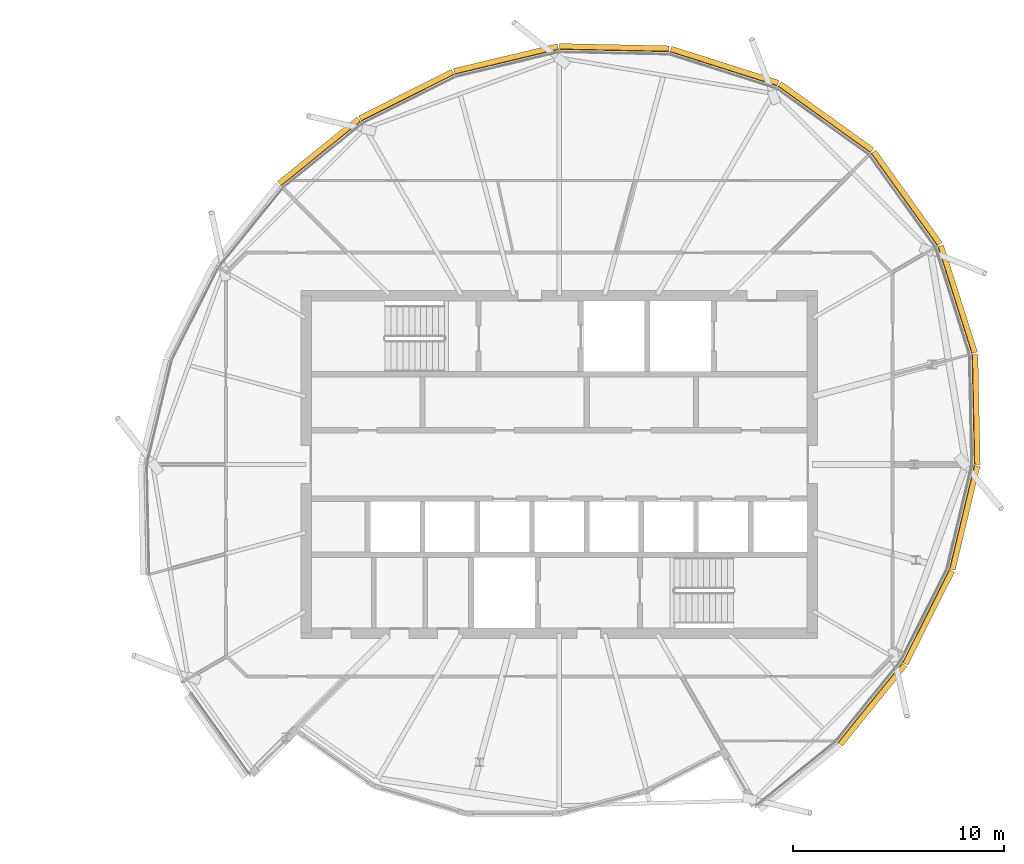
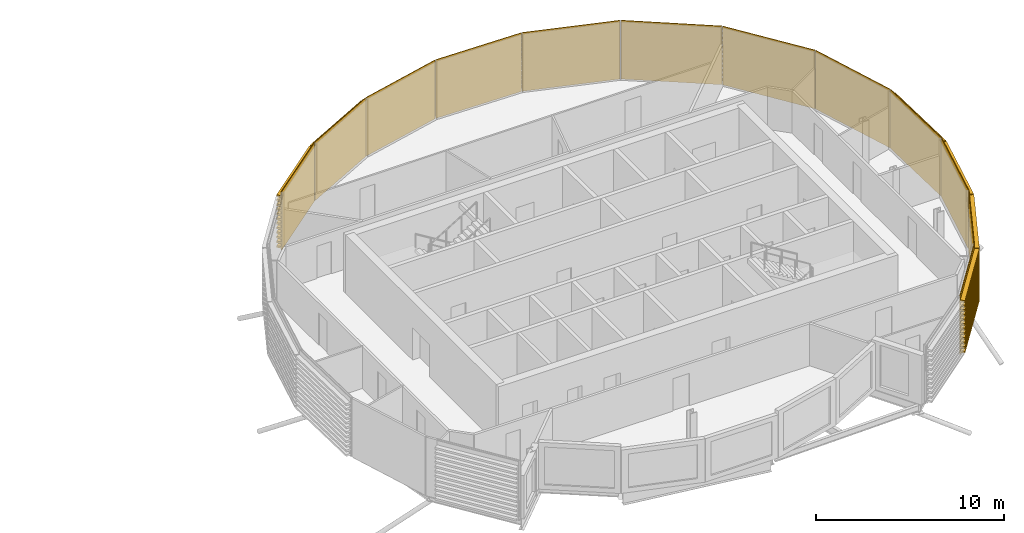
# One storey, part 35 of 35: 12 coverings.
"""IFC4 building model written with IfcOpenShell, lengths in metres."""

from ifc_helpers import new_model, si_unit, direction, frame, origin, place, context, subcontext, project, spatial, polyline, outline, extrude, material, material_profile, profile_set, type_object, element, save


model = new_model("IFC4")

# Units and contexts
model_context = context("Model", 3, precision=1e-05, world=origin(), true_north=direction((0.0, 1.0)))
body_context = subcontext(model_context, "Body", "Model", "MODEL_VIEW")
ifc_project = project(units=[si_unit("LENGTHUNIT", "METRE"), si_unit("AREAUNIT", "SQUARE_METRE"), si_unit("VOLUMEUNIT", "CUBIC_METRE"), si_unit("PLANEANGLEUNIT", "RADIAN"), si_unit("MASSUNIT", "GRAM", prefix="KILO")], contexts=[model_context])

# Site, building, storey
site_placement = place(None, origin())
site = spatial("IfcSite", under=ifc_project, at=site_placement, CompositionType="ELEMENT")
building_placement = place(site_placement, origin())
building = spatial("IfcBuilding", under=site, at=building_placement, Name="Rimbun Link Towers", CompositionType="ELEMENT")
storey_placement = place(building_placement, frame((0.0, 0.0, 229.5)))
storey = spatial("IfcBuildingStorey", under=building, at=storey_placement, Name="L56", CompositionType="ELEMENT", Elevation=229.5)

# Coverings
ifc_material = material(Name="Terracotta", Category="masonry")
ifc_material_profile = material_profile(ifc_material, outline(polyline([(0.123046875, 0.0), (0.1630859375, 0.0), (0.1630859375, 0.10009765625), (0.423095703125, 0.10009765625), (0.423095703125, 0.219970703125), (0.1630859375, 0.219970703125), (0.1630859375, 0.39990234375), (0.423095703125, 0.39990234375), (0.423095703125, 0.52001953125), (0.1630859375, 0.52001953125), (0.1630859375, 0.699951171875), (0.423095703125, 0.699951171875), (0.423095703125, 0.820068359375), (0.1630859375, 0.820068359375), (0.1630859375, 1.0), (0.423095703125, 1.0), (0.423095703125, 1.1201171875), (0.1630859375, 1.1201171875), (0.1630859375, 1.300048828125), (0.423095703125, 1.300048828125), (0.423095703125, 1.419921875), (0.1630859375, 1.419921875), (0.1630859375, 1.60009765625), (0.423095703125, 1.60009765625), (0.423095703125, 1.719970703125), (0.1630859375, 1.719970703125), (0.1630859375, 1.89990234375), (0.423095703125, 1.89990234375), (0.423095703125, 2.02001953125), (0.1630859375, 2.02001953125), (0.1630859375, 2.199951171875), (0.423095703125, 2.199951171875), (0.423095703125, 2.320068359375), (0.1630859375, 2.320068359375), (0.1630859375, 2.5), (0.423095703125, 2.5), (0.423095703125, 2.6201171875), (0.1630859375, 2.6201171875), (0.1630859375, 2.800048828125), (0.423095703125, 2.800048828125), (0.423095703125, 2.919921875), (0.1630859375, 2.919921875), (0.1630859375, 3.10009765625), (0.423095703125, 3.10009765625), (0.423095703125, 3.219970703125), (0.1630859375, 3.219970703125), (0.1630859375, 3.39990234375), (0.423095703125, 3.39990234375), (0.423095703125, 3.52001953125), (0.1630859375, 3.52001953125), (0.1630859375, 3.800048828125), (0.123046875, 3.800048828125), (0.123046875, 0.0)])), Name="BAGUETTE 120X300")
ifc_profile_set = profile_set([ifc_material_profile], Name="Terracotta")
covering_type = type_object("IfcCoveringType", Name="TERRACOTTA BAGUETTE 120X300 H3800", PredefinedType="CLADDING", material=ifc_profile_set)
covering_1_placement = place(storey_placement, frame((42.0341796875, 17.8125, 0.0), z_axis=(0.81245949562, -0.583017639507, 0.0), x_axis=(0.583017639507, 0.81245949562, 0.0)))
element("IfcCovering", 1, at=covering_1_placement, inside=storey, type_object=covering_type, Name="TERRACOTTA BAGUETTE", PredefinedType="CLADDING", context=body_context, shape_type="SweptSolid", body=[
    extrude(outline(polyline([(0.123046875, 0.0), (0.1630859375, 0.0), (0.1630859375, 0.10009765625), (0.423095703125, 0.10009765625), (0.423095703125, 0.219970703125), (0.1630859375, 0.219970703125), (0.1630859375, 0.39990234375), (0.423095703125, 0.39990234375), (0.423095703125, 0.52001953125), (0.1630859375, 0.52001953125), (0.1630859375, 0.699951171875), (0.423095703125, 0.699951171875), (0.423095703125, 0.820068359375), (0.1630859375, 0.820068359375), (0.1630859375, 1.0), (0.423095703125, 1.0), (0.423095703125, 1.1201171875), (0.1630859375, 1.1201171875), (0.1630859375, 1.300048828125), (0.423095703125, 1.300048828125), (0.423095703125, 1.419921875), (0.1630859375, 1.419921875), (0.1630859375, 1.60009765625), (0.423095703125, 1.60009765625), (0.423095703125, 1.719970703125), (0.1630859375, 1.719970703125), (0.1630859375, 1.89990234375), (0.423095703125, 1.89990234375), (0.423095703125, 2.02001953125), (0.1630859375, 2.02001953125), (0.1630859375, 2.199951171875), (0.423095703125, 2.199951171875), (0.423095703125, 2.320068359375), (0.1630859375, 2.320068359375), (0.1630859375, 2.5), (0.423095703125, 2.5), (0.423095703125, 2.6201171875), (0.1630859375, 2.6201171875), (0.1630859375, 2.800048828125), (0.423095703125, 2.800048828125), (0.423095703125, 2.919921875), (0.1630859375, 2.919921875), (0.1630859375, 3.10009765625), (0.423095703125, 3.10009765625), (0.423095703125, 3.219970703125), (0.1630859375, 3.219970703125), (0.1630859375, 3.39990234375), (0.423095703125, 3.39990234375), (0.423095703125, 3.52001953125), (0.1630859375, 3.52001953125), (0.1630859375, 3.800048828125), (0.123046875, 3.800048828125), (0.123046875, 0.0)])), origin(), (0.0, 0.0, 1.0), 5.394775390625),
])
covering_2_placement = place(storey_placement, frame((36.95556640625, 19.427490234375, 0.0), z_axis=(0.952976305832, -0.303044816031, 0.0), x_axis=(0.303044816031, 0.952976305832, 0.0)))
element("IfcCovering", 2, at=covering_2_placement, inside=storey, type_object=covering_type, Name="TERRACOTTA BAGUETTE", PredefinedType="CLADDING", context=body_context, shape_type="SweptSolid", body=[
    extrude(outline(polyline([(0.123046875, 0.0), (0.1630859375, 0.0), (0.1630859375, 0.10009765625), (0.423095703125, 0.10009765625), (0.423095703125, 0.219970703125), (0.1630859375, 0.219970703125), (0.1630859375, 0.39990234375), (0.423095703125, 0.39990234375), (0.423095703125, 0.52001953125), (0.1630859375, 0.52001953125), (0.1630859375, 0.699951171875), (0.423095703125, 0.699951171875), (0.423095703125, 0.820068359375), (0.1630859375, 0.820068359375), (0.1630859375, 1.0), (0.423095703125, 1.0), (0.423095703125, 1.1201171875), (0.1630859375, 1.1201171875), (0.1630859375, 1.300048828125), (0.423095703125, 1.300048828125), (0.423095703125, 1.419921875), (0.1630859375, 1.419921875), (0.1630859375, 1.60009765625), (0.423095703125, 1.60009765625), (0.423095703125, 1.719970703125), (0.1630859375, 1.719970703125), (0.1630859375, 1.89990234375), (0.423095703125, 1.89990234375), (0.423095703125, 2.02001953125), (0.1630859375, 2.02001953125), (0.1630859375, 2.199951171875), (0.423095703125, 2.199951171875), (0.423095703125, 2.320068359375), (0.1630859375, 2.320068359375), (0.1630859375, 2.5), (0.423095703125, 2.5), (0.423095703125, 2.6201171875), (0.1630859375, 2.6201171875), (0.1630859375, 2.800048828125), (0.423095703125, 2.800048828125), (0.423095703125, 2.919921875), (0.1630859375, 2.919921875), (0.1630859375, 3.10009765625), (0.423095703125, 3.10009765625), (0.423095703125, 3.219970703125), (0.1630859375, 3.219970703125), (0.1630859375, 3.39990234375), (0.423095703125, 3.39990234375), (0.423095703125, 3.52001953125), (0.1630859375, 3.52001953125), (0.1630859375, 3.800048828125), (0.123046875, 3.800048828125), (0.123046875, 0.0)])), origin(), (0.0, 0.0, 1.0), 5.3291015625),
])
covering_3_placement = place(storey_placement, frame((31.75, 19.537353515625, 0.0), z_axis=(0.999777364661, -0.021100263301, 0.0), x_axis=(0.021100263301, 0.999777364661, 0.0)))
element("IfcCovering", 3, at=covering_3_placement, inside=storey, type_object=covering_type, Name="TERRACOTTA BAGUETTE", PredefinedType="CLADDING", context=body_context, shape_type="SweptSolid", body=[
    extrude(outline(polyline([(0.123046875, 0.0), (0.1630859375, 0.0), (0.1630859375, 0.10009765625), (0.423095703125, 0.10009765625), (0.423095703125, 0.219970703125), (0.1630859375, 0.219970703125), (0.1630859375, 0.39990234375), (0.423095703125, 0.39990234375), (0.423095703125, 0.52001953125), (0.1630859375, 0.52001953125), (0.1630859375, 0.699951171875), (0.423095703125, 0.699951171875), (0.423095703125, 0.820068359375), (0.1630859375, 0.820068359375), (0.1630859375, 1.0), (0.423095703125, 1.0), (0.423095703125, 1.1201171875), (0.1630859375, 1.1201171875), (0.1630859375, 1.300048828125), (0.423095703125, 1.300048828125), (0.423095703125, 1.419921875), (0.1630859375, 1.419921875), (0.1630859375, 1.60009765625), (0.423095703125, 1.60009765625), (0.423095703125, 1.719970703125), (0.1630859375, 1.719970703125), (0.1630859375, 1.89990234375), (0.423095703125, 1.89990234375), (0.423095703125, 2.02001953125), (0.1630859375, 2.02001953125), (0.1630859375, 2.199951171875), (0.423095703125, 2.199951171875), (0.423095703125, 2.320068359375), (0.1630859375, 2.320068359375), (0.1630859375, 2.5), (0.423095703125, 2.5), (0.423095703125, 2.6201171875), (0.1630859375, 2.6201171875), (0.1630859375, 2.800048828125), (0.423095703125, 2.800048828125), (0.423095703125, 2.919921875), (0.1630859375, 2.919921875), (0.1630859375, 3.10009765625), (0.423095703125, 3.10009765625), (0.423095703125, 3.219970703125), (0.1630859375, 3.219970703125), (0.1630859375, 3.39990234375), (0.423095703125, 3.39990234375), (0.423095703125, 3.52001953125), (0.1630859375, 3.52001953125), (0.1630859375, 3.800048828125), (0.123046875, 3.800048828125), (0.123046875, 0.0)])), origin(), (0.0, 0.0, 1.0), 5.206787109375),
])
covering_4_placement = place(storey_placement, frame((26.830322265625, 18.360595703125, 0.0), z_axis=(0.972564887549, 0.232631768051, 0.0), x_axis=(-0.232631768051, 0.972564887549, 0.0)))
element("IfcCovering", 4, at=covering_4_placement, inside=storey, type_object=covering_type, Name="TERRACOTTA BAGUETTE", PredefinedType="CLADDING", context=body_context, shape_type="SweptSolid", body=[
    extrude(outline(polyline([(0.123046875, 0.0), (0.1630859375, 0.0), (0.1630859375, 0.10009765625), (0.423095703125, 0.10009765625), (0.423095703125, 0.219970703125), (0.1630859375, 0.219970703125), (0.1630859375, 0.39990234375), (0.423095703125, 0.39990234375), (0.423095703125, 0.52001953125), (0.1630859375, 0.52001953125), (0.1630859375, 0.699951171875), (0.423095703125, 0.699951171875), (0.423095703125, 0.820068359375), (0.1630859375, 0.820068359375), (0.1630859375, 1.0), (0.423095703125, 1.0), (0.423095703125, 1.1201171875), (0.1630859375, 1.1201171875), (0.1630859375, 1.300048828125), (0.423095703125, 1.300048828125), (0.423095703125, 1.419921875), (0.1630859375, 1.419921875), (0.1630859375, 1.60009765625), (0.423095703125, 1.60009765625), (0.423095703125, 1.719970703125), (0.1630859375, 1.719970703125), (0.1630859375, 1.89990234375), (0.423095703125, 1.89990234375), (0.423095703125, 2.02001953125), (0.1630859375, 2.02001953125), (0.1630859375, 2.199951171875), (0.423095703125, 2.199951171875), (0.423095703125, 2.320068359375), (0.1630859375, 2.320068359375), (0.1630859375, 2.5), (0.423095703125, 2.5), (0.423095703125, 2.6201171875), (0.1630859375, 2.6201171875), (0.1630859375, 2.800048828125), (0.423095703125, 2.800048828125), (0.423095703125, 2.919921875), (0.1630859375, 2.919921875), (0.1630859375, 3.10009765625), (0.423095703125, 3.10009765625), (0.423095703125, 3.219970703125), (0.1630859375, 3.219970703125), (0.1630859375, 3.39990234375), (0.423095703125, 3.39990234375), (0.423095703125, 3.52001953125), (0.1630859375, 3.52001953125), (0.1630859375, 3.800048828125), (0.123046875, 3.800048828125), (0.123046875, 0.0)])), origin(), (0.0, 0.0, 1.0), 5.058349609375),
])
covering_5_placement = place(storey_placement, frame((22.42626953125, 16.149169921875, 0.0), z_axis=(0.893662964175, 0.44873879536, 0.0), x_axis=(-0.44873879536, 0.893662964175, 0.0)))
element("IfcCovering", 5, at=covering_5_placement, inside=storey, type_object=covering_type, Name="TERRACOTTA BAGUETTE", PredefinedType="CLADDING", context=body_context, shape_type="SweptSolid", body=[
    extrude(outline(polyline([(0.123046875, 0.0), (0.1630859375, 0.0), (0.1630859375, 0.10009765625), (0.423095703125, 0.10009765625), (0.423095703125, 0.219970703125), (0.1630859375, 0.219970703125), (0.1630859375, 0.39990234375), (0.423095703125, 0.39990234375), (0.423095703125, 0.52001953125), (0.1630859375, 0.52001953125), (0.1630859375, 0.699951171875), (0.423095703125, 0.699951171875), (0.423095703125, 0.820068359375), (0.1630859375, 0.820068359375), (0.1630859375, 1.0), (0.423095703125, 1.0), (0.423095703125, 1.1201171875), (0.1630859375, 1.1201171875), (0.1630859375, 1.300048828125), (0.423095703125, 1.300048828125), (0.423095703125, 1.419921875), (0.1630859375, 1.419921875), (0.1630859375, 1.60009765625), (0.423095703125, 1.60009765625), (0.423095703125, 1.719970703125), (0.1630859375, 1.719970703125), (0.1630859375, 1.89990234375), (0.423095703125, 1.89990234375), (0.423095703125, 2.02001953125), (0.1630859375, 2.02001953125), (0.1630859375, 2.199951171875), (0.423095703125, 2.199951171875), (0.423095703125, 2.320068359375), (0.1630859375, 2.320068359375), (0.1630859375, 2.5), (0.423095703125, 2.5), (0.423095703125, 2.6201171875), (0.1630859375, 2.6201171875), (0.1630859375, 2.800048828125), (0.423095703125, 2.800048828125), (0.423095703125, 2.919921875), (0.1630859375, 2.919921875), (0.1630859375, 3.10009765625), (0.423095703125, 3.10009765625), (0.423095703125, 3.219970703125), (0.1630859375, 3.219970703125), (0.1630859375, 3.39990234375), (0.423095703125, 3.39990234375), (0.423095703125, 3.52001953125), (0.1630859375, 3.52001953125), (0.1630859375, 3.800048828125), (0.123046875, 3.800048828125), (0.123046875, 0.0)])), origin(), (0.0, 0.0, 1.0), 4.927978515625),
])
for number, where, z_axis, x_axis, name in (
    (6, (18.654296875, 13.095703125, 0.0), (0.777248385318, 0.629193887066, 0.0), (-0.629193887066, 0.777248385318, 0.0), "TERRACOTTA BAGUETTE"),
    (7, (47.899169921875, -9.32373046875, 0.0), (-0.629193887066, -0.777248385318, 0.0), (0.777248385318, -0.629193887066, 0.0), "TERRACOTTA BAGUETTE"),
):
    element("IfcCovering", number, at=place(storey_placement, frame(where, z_axis=z_axis, x_axis=x_axis)), inside=storey, type_object=covering_type, Name=name, PredefinedType="CLADDING", context=body_context, shape_type="SweptSolid", body=[
        extrude(outline(polyline([(0.123046875, 0.0), (0.1630859375, 0.0), (0.1630859375, 0.10009765625), (0.423095703125, 0.10009765625), (0.423095703125, 0.219970703125), (0.1630859375, 0.219970703125), (0.1630859375, 0.39990234375), (0.423095703125, 0.39990234375), (0.423095703125, 0.52001953125), (0.1630859375, 0.52001953125), (0.1630859375, 0.699951171875), (0.423095703125, 0.699951171875), (0.423095703125, 0.820068359375), (0.1630859375, 0.820068359375), (0.1630859375, 1.0), (0.423095703125, 1.0), (0.423095703125, 1.1201171875), (0.1630859375, 1.1201171875), (0.1630859375, 1.300048828125), (0.423095703125, 1.300048828125), (0.423095703125, 1.419921875), (0.1630859375, 1.419921875), (0.1630859375, 1.60009765625), (0.423095703125, 1.60009765625), (0.423095703125, 1.719970703125), (0.1630859375, 1.719970703125), (0.1630859375, 1.89990234375), (0.423095703125, 1.89990234375), (0.423095703125, 2.02001953125), (0.1630859375, 2.02001953125), (0.1630859375, 2.199951171875), (0.423095703125, 2.199951171875), (0.423095703125, 2.320068359375), (0.1630859375, 2.320068359375), (0.1630859375, 2.5), (0.423095703125, 2.5), (0.423095703125, 2.6201171875), (0.1630859375, 2.6201171875), (0.1630859375, 2.800048828125), (0.423095703125, 2.800048828125), (0.423095703125, 2.919921875), (0.1630859375, 2.919921875), (0.1630859375, 3.10009765625), (0.423095703125, 3.10009765625), (0.423095703125, 3.219970703125), (0.1630859375, 3.219970703125), (0.1630859375, 3.39990234375), (0.423095703125, 3.39990234375), (0.423095703125, 3.52001953125), (0.1630859375, 3.52001953125), (0.1630859375, 3.800048828125), (0.123046875, 3.800048828125), (0.123046875, 0.0)])), origin(), (0.0, 0.0, 1.0), 4.85302734375),
    ])
covering_6_placement = place(storey_placement, frame((50.110595703125, -4.919677734375, 0.0), z_axis=(-0.44873879536, -0.893662964175, 0.0), x_axis=(0.893662964175, -0.44873879536, 0.0)))
element("IfcCovering", 8, at=covering_6_placement, inside=storey, type_object=covering_type, Name="TERRACOTTA BAGUETTE", PredefinedType="CLADDING", context=body_context, shape_type="SweptSolid", body=[
    extrude(outline(polyline([(0.123046875, 0.0), (0.1630859375, 0.0), (0.1630859375, 0.10009765625), (0.423095703125, 0.10009765625), (0.423095703125, 0.219970703125), (0.1630859375, 0.219970703125), (0.1630859375, 0.39990234375), (0.423095703125, 0.39990234375), (0.423095703125, 0.52001953125), (0.1630859375, 0.52001953125), (0.1630859375, 0.699951171875), (0.423095703125, 0.699951171875), (0.423095703125, 0.820068359375), (0.1630859375, 0.820068359375), (0.1630859375, 1.0), (0.423095703125, 1.0), (0.423095703125, 1.1201171875), (0.1630859375, 1.1201171875), (0.1630859375, 1.300048828125), (0.423095703125, 1.300048828125), (0.423095703125, 1.419921875), (0.1630859375, 1.419921875), (0.1630859375, 1.60009765625), (0.423095703125, 1.60009765625), (0.423095703125, 1.719970703125), (0.1630859375, 1.719970703125), (0.1630859375, 1.89990234375), (0.423095703125, 1.89990234375), (0.423095703125, 2.02001953125), (0.1630859375, 2.02001953125), (0.1630859375, 2.199951171875), (0.423095703125, 2.199951171875), (0.423095703125, 2.320068359375), (0.1630859375, 2.320068359375), (0.1630859375, 2.5), (0.423095703125, 2.5), (0.423095703125, 2.6201171875), (0.1630859375, 2.6201171875), (0.1630859375, 2.800048828125), (0.423095703125, 2.800048828125), (0.423095703125, 2.919921875), (0.1630859375, 2.919921875), (0.1630859375, 3.10009765625), (0.423095703125, 3.10009765625), (0.423095703125, 3.219970703125), (0.1630859375, 3.219970703125), (0.1630859375, 3.39990234375), (0.423095703125, 3.39990234375), (0.423095703125, 3.52001953125), (0.1630859375, 3.52001953125), (0.1630859375, 3.800048828125), (0.123046875, 3.800048828125), (0.123046875, 0.0)])), origin(), (0.0, 0.0, 1.0), 4.927978515625),
])
covering_7_placement = place(storey_placement, frame((51.287353515625, 0.0, 0.0), z_axis=(-0.232631768051, -0.972564887549, 0.0), x_axis=(0.972564887549, -0.232631768051, 0.0)))
element("IfcCovering", 9, at=covering_7_placement, inside=storey, type_object=covering_type, Name="TERRACOTTA BAGUETTE", PredefinedType="CLADDING", context=body_context, shape_type="SweptSolid", body=[
    extrude(outline(polyline([(0.123046875, 0.0), (0.1630859375, 0.0), (0.1630859375, 0.10009765625), (0.423095703125, 0.10009765625), (0.423095703125, 0.219970703125), (0.1630859375, 0.219970703125), (0.1630859375, 0.39990234375), (0.423095703125, 0.39990234375), (0.423095703125, 0.52001953125), (0.1630859375, 0.52001953125), (0.1630859375, 0.699951171875), (0.423095703125, 0.699951171875), (0.423095703125, 0.820068359375), (0.1630859375, 0.820068359375), (0.1630859375, 1.0), (0.423095703125, 1.0), (0.423095703125, 1.1201171875), (0.1630859375, 1.1201171875), (0.1630859375, 1.300048828125), (0.423095703125, 1.300048828125), (0.423095703125, 1.419921875), (0.1630859375, 1.419921875), (0.1630859375, 1.60009765625), (0.423095703125, 1.60009765625), (0.423095703125, 1.719970703125), (0.1630859375, 1.719970703125), (0.1630859375, 1.89990234375), (0.423095703125, 1.89990234375), (0.423095703125, 2.02001953125), (0.1630859375, 2.02001953125), (0.1630859375, 2.199951171875), (0.423095703125, 2.199951171875), (0.423095703125, 2.320068359375), (0.1630859375, 2.320068359375), (0.1630859375, 2.5), (0.423095703125, 2.5), (0.423095703125, 2.6201171875), (0.1630859375, 2.6201171875), (0.1630859375, 2.800048828125), (0.423095703125, 2.800048828125), (0.423095703125, 2.919921875), (0.1630859375, 2.919921875), (0.1630859375, 3.10009765625), (0.423095703125, 3.10009765625), (0.423095703125, 3.219970703125), (0.1630859375, 3.219970703125), (0.1630859375, 3.39990234375), (0.423095703125, 3.39990234375), (0.423095703125, 3.52001953125), (0.1630859375, 3.52001953125), (0.1630859375, 3.800048828125), (0.123046875, 3.800048828125), (0.123046875, 0.0)])), origin(), (0.0, 0.0, 1.0), 5.058349609375),
])
covering_8_placement = place(storey_placement, frame((51.177490234375, 5.20556640625, 0.0), z_axis=(0.021100263301, -0.999777364661, 0.0), x_axis=(0.999777364661, 0.021100263301, 0.0)))
element("IfcCovering", 10, at=covering_8_placement, inside=storey, type_object=covering_type, Name="TERRACOTTA BAGUETTE", PredefinedType="CLADDING", context=body_context, shape_type="SweptSolid", body=[
    extrude(outline(polyline([(0.123046875, 0.0), (0.1630859375, 0.0), (0.1630859375, 0.10009765625), (0.423095703125, 0.10009765625), (0.423095703125, 0.219970703125), (0.1630859375, 0.219970703125), (0.1630859375, 0.39990234375), (0.423095703125, 0.39990234375), (0.423095703125, 0.52001953125), (0.1630859375, 0.52001953125), (0.1630859375, 0.699951171875), (0.423095703125, 0.699951171875), (0.423095703125, 0.820068359375), (0.1630859375, 0.820068359375), (0.1630859375, 1.0), (0.423095703125, 1.0), (0.423095703125, 1.1201171875), (0.1630859375, 1.1201171875), (0.1630859375, 1.300048828125), (0.423095703125, 1.300048828125), (0.423095703125, 1.419921875), (0.1630859375, 1.419921875), (0.1630859375, 1.60009765625), (0.423095703125, 1.60009765625), (0.423095703125, 1.719970703125), (0.1630859375, 1.719970703125), (0.1630859375, 1.89990234375), (0.423095703125, 1.89990234375), (0.423095703125, 2.02001953125), (0.1630859375, 2.02001953125), (0.1630859375, 2.199951171875), (0.423095703125, 2.199951171875), (0.423095703125, 2.320068359375), (0.1630859375, 2.320068359375), (0.1630859375, 2.5), (0.423095703125, 2.5), (0.423095703125, 2.6201171875), (0.1630859375, 2.6201171875), (0.1630859375, 2.800048828125), (0.423095703125, 2.800048828125), (0.423095703125, 2.919921875), (0.1630859375, 2.919921875), (0.1630859375, 3.10009765625), (0.423095703125, 3.10009765625), (0.423095703125, 3.219970703125), (0.1630859375, 3.219970703125), (0.1630859375, 3.39990234375), (0.423095703125, 3.39990234375), (0.423095703125, 3.52001953125), (0.1630859375, 3.52001953125), (0.1630859375, 3.800048828125), (0.123046875, 3.800048828125), (0.123046875, 0.0)])), origin(), (0.0, 0.0, 1.0), 5.206787109375),
])
covering_9_placement = place(storey_placement, frame((49.5625, 10.2841796875, 0.0), z_axis=(0.303044816031, -0.952976305832, 0.0), x_axis=(0.952976305832, 0.303044816031, 0.0)))
element("IfcCovering", 11, at=covering_9_placement, inside=storey, type_object=covering_type, Name="TERRACOTTA BAGUETTE", PredefinedType="CLADDING", context=body_context, shape_type="SweptSolid", body=[
    extrude(outline(polyline([(0.123046875, 0.0), (0.1630859375, 0.0), (0.1630859375, 0.10009765625), (0.423095703125, 0.10009765625), (0.423095703125, 0.219970703125), (0.1630859375, 0.219970703125), (0.1630859375, 0.39990234375), (0.423095703125, 0.39990234375), (0.423095703125, 0.52001953125), (0.1630859375, 0.52001953125), (0.1630859375, 0.699951171875), (0.423095703125, 0.699951171875), (0.423095703125, 0.820068359375), (0.1630859375, 0.820068359375), (0.1630859375, 1.0), (0.423095703125, 1.0), (0.423095703125, 1.1201171875), (0.1630859375, 1.1201171875), (0.1630859375, 1.300048828125), (0.423095703125, 1.300048828125), (0.423095703125, 1.419921875), (0.1630859375, 1.419921875), (0.1630859375, 1.60009765625), (0.423095703125, 1.60009765625), (0.423095703125, 1.719970703125), (0.1630859375, 1.719970703125), (0.1630859375, 1.89990234375), (0.423095703125, 1.89990234375), (0.423095703125, 2.02001953125), (0.1630859375, 2.02001953125), (0.1630859375, 2.199951171875), (0.423095703125, 2.199951171875), (0.423095703125, 2.320068359375), (0.1630859375, 2.320068359375), (0.1630859375, 2.5), (0.423095703125, 2.5), (0.423095703125, 2.6201171875), (0.1630859375, 2.6201171875), (0.1630859375, 2.800048828125), (0.423095703125, 2.800048828125), (0.423095703125, 2.919921875), (0.1630859375, 2.919921875), (0.1630859375, 3.10009765625), (0.423095703125, 3.10009765625), (0.423095703125, 3.219970703125), (0.1630859375, 3.219970703125), (0.1630859375, 3.39990234375), (0.423095703125, 3.39990234375), (0.423095703125, 3.52001953125), (0.1630859375, 3.52001953125), (0.1630859375, 3.800048828125), (0.123046875, 3.800048828125), (0.123046875, 0.0)])), origin(), (0.0, 0.0, 1.0), 5.3291015625),
])
covering_10_placement = place(storey_placement, frame((46.417236328125, 14.667236328125, 0.0), z_axis=(0.583017639507, -0.81245949562, 0.0), x_axis=(0.81245949562, 0.583017639507, 0.0)))
element("IfcCovering", 12, at=covering_10_placement, inside=storey, type_object=covering_type, Name="TERRACOTTA BAGUETTE", PredefinedType="CLADDING", context=body_context, shape_type="SweptSolid", body=[
    extrude(outline(polyline([(0.123046875, 0.0), (0.1630859375, 0.0), (0.1630859375, 0.10009765625), (0.423095703125, 0.10009765625), (0.423095703125, 0.219970703125), (0.1630859375, 0.219970703125), (0.1630859375, 0.39990234375), (0.423095703125, 0.39990234375), (0.423095703125, 0.52001953125), (0.1630859375, 0.52001953125), (0.1630859375, 0.699951171875), (0.423095703125, 0.699951171875), (0.423095703125, 0.820068359375), (0.1630859375, 0.820068359375), (0.1630859375, 1.0), (0.423095703125, 1.0), (0.423095703125, 1.1201171875), (0.1630859375, 1.1201171875), (0.1630859375, 1.300048828125), (0.423095703125, 1.300048828125), (0.423095703125, 1.419921875), (0.1630859375, 1.419921875), (0.1630859375, 1.60009765625), (0.423095703125, 1.60009765625), (0.423095703125, 1.719970703125), (0.1630859375, 1.719970703125), (0.1630859375, 1.89990234375), (0.423095703125, 1.89990234375), (0.423095703125, 2.02001953125), (0.1630859375, 2.02001953125), (0.1630859375, 2.199951171875), (0.423095703125, 2.199951171875), (0.423095703125, 2.320068359375), (0.1630859375, 2.320068359375), (0.1630859375, 2.5), (0.423095703125, 2.5), (0.423095703125, 2.6201171875), (0.1630859375, 2.6201171875), (0.1630859375, 2.800048828125), (0.423095703125, 2.800048828125), (0.423095703125, 2.919921875), (0.1630859375, 2.919921875), (0.1630859375, 3.10009765625), (0.423095703125, 3.10009765625), (0.423095703125, 3.219970703125), (0.1630859375, 3.219970703125), (0.1630859375, 3.39990234375), (0.423095703125, 3.39990234375), (0.423095703125, 3.52001953125), (0.1630859375, 3.52001953125), (0.1630859375, 3.800048828125), (0.123046875, 3.800048828125), (0.123046875, 0.0)])), origin(), (0.0, 0.0, 1.0), 5.394775390625),
])

save(model, "model.ifc")
